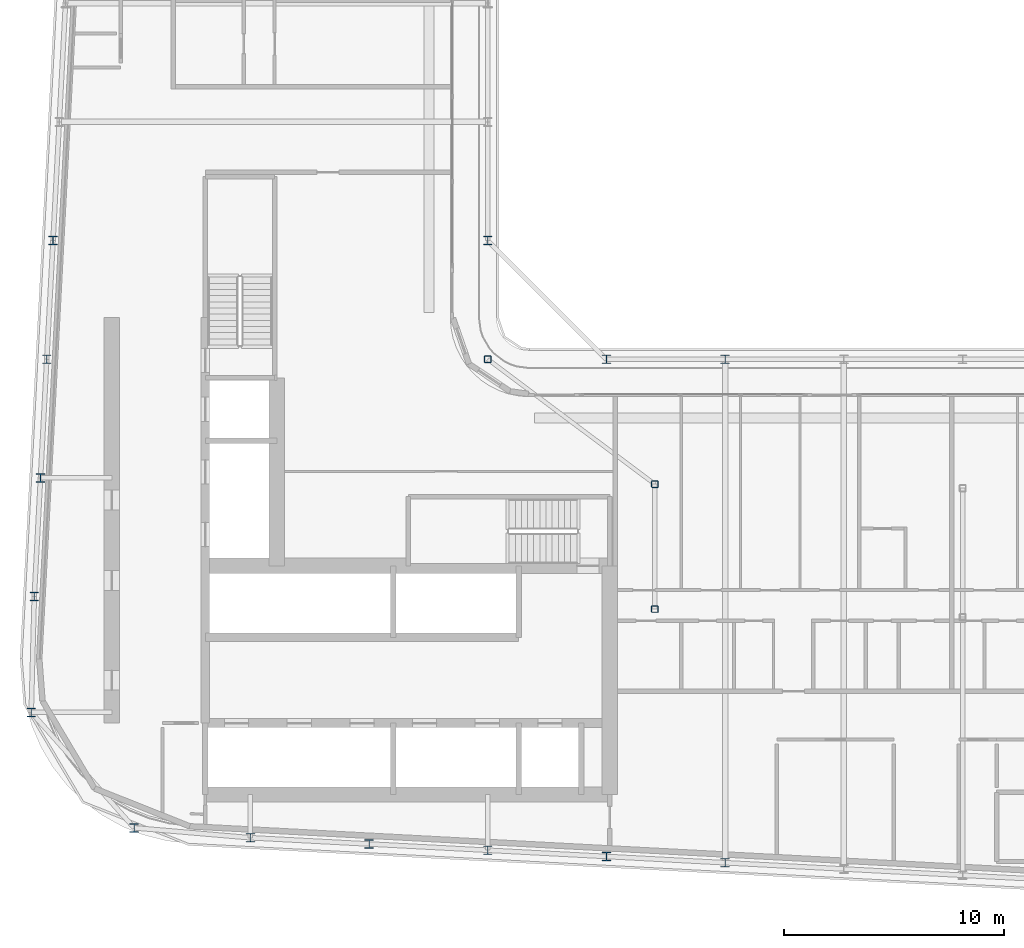
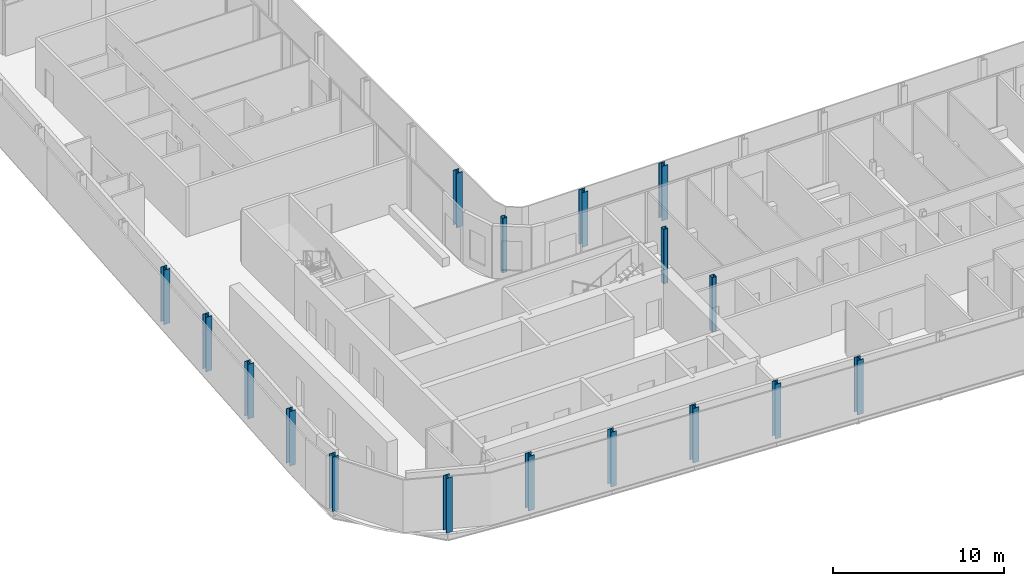
# One storey, part 1 of 23: 17 columns.
"""IFC4 building model written with IfcOpenShell, lengths in metres."""

from ifc_helpers import new_model, si_unit, direction, frame, origin, origin_2d, place, context, subcontext, project, spatial, hollow_rectangle, i_section, extrude, material, material_profile, profile_set, type_object, element, save


model = new_model("IFC4")

# Units and contexts
model_context = context("Model", 3, precision=1e-05, world=origin(), true_north=direction((0.0, 1.0)))
body_context = subcontext(model_context, "Body", "Model", "MODEL_VIEW")
ifc_project = project(units=[si_unit("LENGTHUNIT", "METRE"), si_unit("AREAUNIT", "SQUARE_METRE"), si_unit("VOLUMEUNIT", "CUBIC_METRE"), si_unit("PLANEANGLEUNIT", "RADIAN"), si_unit("MASSUNIT", "GRAM", prefix="KILO")], contexts=[model_context])

# Site, building, storey
site_placement = place(None, origin())
site = spatial("IfcSite", under=ifc_project, at=site_placement, CompositionType="ELEMENT")
building_placement = place(site_placement, origin())
building = spatial("IfcBuilding", under=site, at=building_placement, Name="Kheshtan School and Residences Tower", CompositionType="ELEMENT")
storey_placement = place(building_placement, frame((0.0, 0.0, 239.60009765625)))
storey = spatial("IfcBuildingStorey", under=building, at=storey_placement, Name="L56", CompositionType="ELEMENT", Elevation=239.60009765625)

# Columns
ifc_material_1 = material(Name="Steel ASTM A992 Grade 50", Category="steel")
ifc_material_profile_1 = material_profile(ifc_material_1, i_section(OverallWidth=0.404052734375, OverallDepth=0.406982421875, WebThickness=0.027099609375, FlangeThickness=0.043701171875, FilletRadius=0.01220703125, at=origin_2d()), Name="W360x347")
ifc_profile_set_1 = profile_set([ifc_material_profile_1], Name="Steel ASTM A992 Grade 50")
column_type_1 = type_object("IfcColumnType", Name="Column C4 W360x347 ASTM A992 Grade 50", PredefinedType="COLUMN", material=ifc_profile_set_1)
for number, where, z_axis, x_axis, name in (
    (1, (58.39990234375, 22.695068359375, 0.0), (0.0, 0.0, 1.0), (1.0, 0.0, 0.0), "Column C018"),
    (2, (53.0, 22.97998046875, 0.0), (0.0, 0.0, 1.0), (1.0, 0.0, 0.0), "Column C019"),
    (3, (47.60009765625, 23.263916015625, 0.0), (0.0, 0.0, 1.0), (1.0, 0.0, 0.0), "Column C020"),
    (4, (42.199951171875, 23.548095703125, 0.0), (0.0, 0.0, 1.0), (1.0, 0.0, 0.0), "Column C021"),
    (5, (36.800048828125, 23.83203125, 0.0), (0.0, 0.0, 1.0), (1.0, 0.0, 0.0), "Column C022"),
    (6, (31.510009765625, 24.282958984375, 0.0), (0.0, 0.0, 1.0), (1.0, 0.0, 0.0), "Column C030"),
    (7, (26.830078125, 29.5380859375, 0.0), (0.0, 0.0, 1.0), (1.0, 0.0, 0.0), "Column C043"),
    (8, (26.968994140625, 34.800048828125, 0.0), (0.0, 0.0, 1.0), (1.0, 0.0, 0.0), "Column C052"),
    (9, (27.2529296875, 40.199951171875, 0.0), (0.0, 0.0, 1.0), (1.0, 0.0, 0.0), "Column C056"),
    (10, (27.537109375, 45.60009765625, 0.0), (0.0, 0.0, 1.0), (1.0, 0.0, 0.0), "Column C059"),
    (11, (53.0, 45.60009765625, 0.0), (0.0, 0.0, 1.0), (1.0, 0.0, 0.0), "Column C061"),
    (12, (58.39990234375, 45.60009765625, 0.0), (0.0, 0.0, 1.0), (1.0, 0.0, 0.0), "Column C062"),
    (13, (27.822021484375, 51.0, 0.0), (0.0, 0.0, 1.0), (1.0, 0.0, 0.0), "Column C078"),
    (14, (47.60009765625, 51.0, 0.0), (0.0, 0.0, 1.0), (1.0, 0.0, 0.0), "Column C079"),
):
    element("IfcColumn", number, at=place(storey_placement, frame(where, z_axis=z_axis, x_axis=x_axis)), inside=storey, type_object=column_type_1, Name=name, PredefinedType="COLUMN", context=body_context, shape_type="SweptSolid", body=[
        extrude(i_section(OverallWidth=0.404052734375, OverallDepth=0.406982421875, WebThickness=0.027099609375, FlangeThickness=0.043701171875, FilletRadius=0.01220703125, at=origin_2d()), origin(), (0.0, 0.0, 1.0), 3.89990234375),
    ])
ifc_material_2 = material(Name="Steel ASTM A500 Grade C", Category="steel")
ifc_material_profile_2 = material_profile(ifc_material_2, hollow_rectangle(XDim=0.304931640625, YDim=0.304931640625, WallThickness=0.015869140625, InnerFilletRadius=0.015869140625, OuterFilletRadius=0.03173828125, at=origin_2d()), Name="HSS 305x305x15.9")
ifc_profile_set_2 = profile_set([ifc_material_profile_2], Name="Steel ASTM A500 Grade C")
column_type_2 = type_object("IfcColumnType", Name="Column IC2 HSS 305x305x15.9 ASTM A500 Grade C", PredefinedType="COLUMN", material=ifc_profile_set_2)
for number, where, z_axis, x_axis, name in (
    (15, (55.199951171875, 34.23193359375, 0.0), (0.0, 0.0, 1.0), (1.0, 0.0, 0.0), "Column C051"),
    (16, (55.199951171875, 39.916015625, 0.0), (0.0, 0.0, 1.0), (1.0, 0.0, 0.0), "Column C055"),
    (17, (47.60009765625, 45.60009765625, 0.0), (0.0, 0.0, 1.0), (1.0, 0.0, 0.0), "Column C060"),
):
    element("IfcColumn", number, at=place(storey_placement, frame(where, z_axis=z_axis, x_axis=x_axis)), inside=storey, type_object=column_type_2, Name=name, PredefinedType="COLUMN", context=body_context, shape_type="SweptSolid", body=[
        extrude(hollow_rectangle(XDim=0.304931640625, YDim=0.304931640625, WallThickness=0.015869140625, InnerFilletRadius=0.015869140625, OuterFilletRadius=0.03173828125, at=origin_2d()), origin(), (0.0, 0.0, 1.0), 3.89990234375),
    ])

save(model, "model.ifc")
